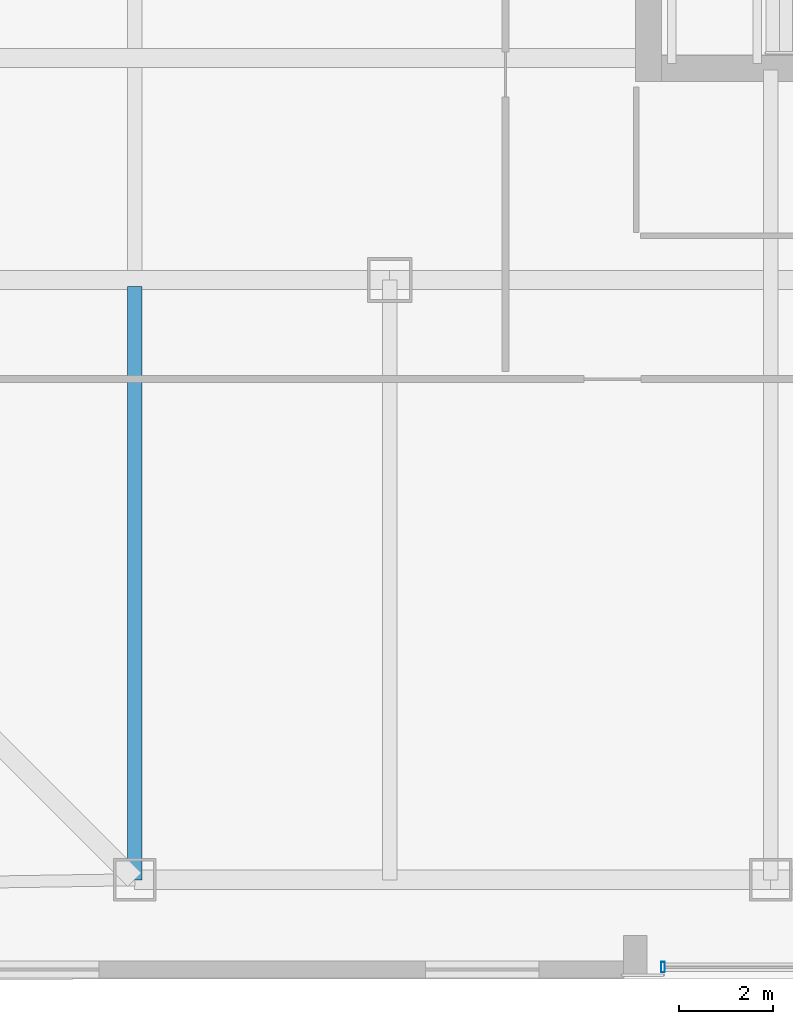
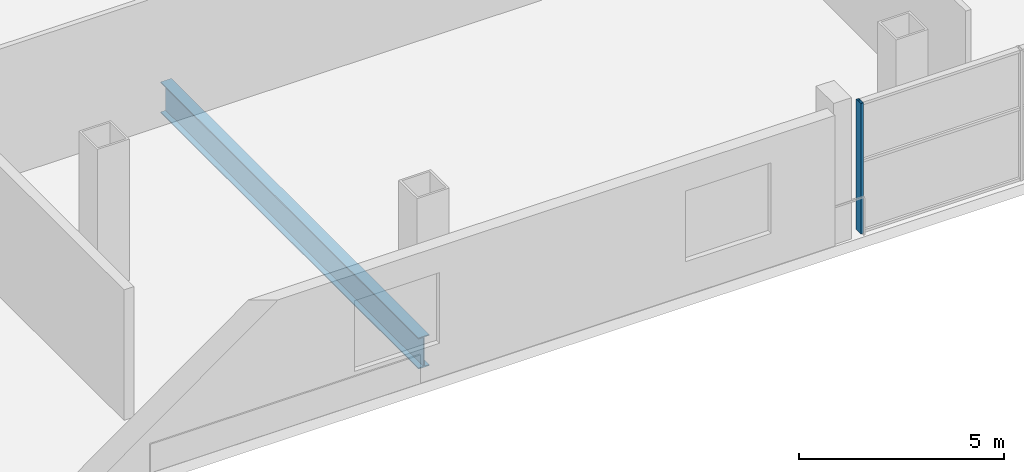
# One storey, part 2 of 21: 1 beam, 1 member, 1 element without a shape of its own.
"""IFC4 building model written with IfcOpenShell, lengths in metres."""

from ifc_helpers import new_model, si_unit, direction, frame, origin, origin_2d, place, context, subcontext, project, spatial, hollow_rectangle, i_section, extrude, material, layer, layer_set, material_profile, profile_set, type_object, element, aggregate, save


model = new_model("IFC4")

# Units and contexts
model_context = context("Model", 3, precision=1e-05, world=origin(), true_north=direction((0.0, 1.0)))
body_context = subcontext(model_context, "Body", "Model", "MODEL_VIEW")
ifc_project = project(units=[si_unit("LENGTHUNIT", "METRE"), si_unit("AREAUNIT", "SQUARE_METRE"), si_unit("VOLUMEUNIT", "CUBIC_METRE"), si_unit("PLANEANGLEUNIT", "RADIAN"), si_unit("MASSUNIT", "GRAM", prefix="KILO")], contexts=[model_context])

# Site, building, storey
site_placement = place(None, origin())
site = spatial("IfcSite", under=ifc_project, at=site_placement, CompositionType="ELEMENT")
building_placement = place(site_placement, origin())
building = spatial("IfcBuilding", under=site, at=building_placement, Name="Qhalaya Broadcast Tower", CompositionType="ELEMENT")
storey_placement = place(building_placement, frame((0.0, 0.0, 13.5)))
storey = spatial("IfcBuildingStorey", under=building, at=storey_placement, Name="L03", CompositionType="ELEMENT", Elevation=13.5)

# Beam
ifc_material_1 = material(Name="Structural Steel ASTM A992 Grade 50", Category="steel")
ifc_material_profile_1 = material_profile(ifc_material_1, i_section(OverallWidth=0.306884765625, OverallDepth=0.927001953125, WebThickness=0.019287109375, FlangeThickness=0.031982421875, at=origin_2d()), Name="W36X194")
ifc_profile_set_1 = profile_set([ifc_material_profile_1], Name="Structural Steel ASTM A992 Grade 50")
beam_type = type_object("IfcBeamType", Name="Heavy Studio Floor Beam B01", PredefinedType="BEAM", material=ifc_profile_set_1)
beam_placement = place(storey_placement, frame((-20.199951171875, -25.89990234375, -0.783447265625), z_axis=(0.0, 1.0, 0.0), x_axis=(-1.0, 0.0, 0.0)))
element("IfcBeam", 1, at=beam_placement, inside=storey, type_object=beam_type, Name="L03 B01 L03-JS-S-20.2", PredefinedType="BEAM", context=body_context, shape_type="SweptSolid", body=[
    extrude(i_section(OverallWidth=0.306884765625, OverallDepth=0.927001953125, WebThickness=0.019287109375, FlangeThickness=0.031982421875, at=origin_2d()), origin(), (0.0, 0.0, 1.0), 12.559814453125),
])

# Curtain wall, member
ifc_material_2 = material(Name="Solar-Control Low-E Triple Glazing", Category="glass")
ifc_layer = layer(ifc_material_2, 0.219970703125, Name="Solar-Control Low-E Triple Glazing")
ifc_layer_set = layer_set([ifc_layer], Name="Solar-Control Low-E Triple Glazing")
curtain_wall_type = type_object("IfcCurtainWallType", Name="Podium Concourse Triple-Height Glazed Portal CW-01", PredefinedType="NOTDEFINED", material=ifc_layer_set)
curtain_wall_placement = place(storey_placement, origin())
curtain_wall = element("IfcCurtainWall", 2, at=curtain_wall_placement, inside=storey, type_object=curtain_wall_type, Name="L03 Unitised Curtain Wall L03-CW01-S", PredefinedType="NOTDEFINED")
ifc_material_3 = material(Name="Anodised Aluminium 6063-T6", Category="aluminium")
ifc_material_profile_2 = material_profile(ifc_material_3, hollow_rectangle(XDim=0.074951171875, YDim=0.219970703125, WallThickness=0.00390625, at=origin_2d()), Name="ALU-MUL 75x220x4")
ifc_profile_set_2 = profile_set([ifc_material_profile_2], Name="Anodised Aluminium 6063-T6")
member_type = type_object("IfcMemberType", Name="Unitised Curtain-Wall Mullion M01", PredefinedType="MULLION", material=ifc_profile_set_2)
member_placement = place(storey_placement, frame((-9.012451171875, -27.75, 0.0), z_axis=(0.0, 0.0, 1.0), x_axis=(1.0, 0.0, 0.0)))
member = element("IfcMember", 3, at=member_placement, type_object=member_type, Name="CW-01 mullion 1", PredefinedType="MULLION", context=body_context, shape_type="SweptSolid", body=[
    extrude(hollow_rectangle(XDim=0.074951171875, YDim=0.219970703125, WallThickness=0.00390625, at=origin_2d()), origin(), (0.0, 0.0, 1.0), 3.8798828125),
])
aggregate(curtain_wall, [member])

save(model, "model.ifc")
